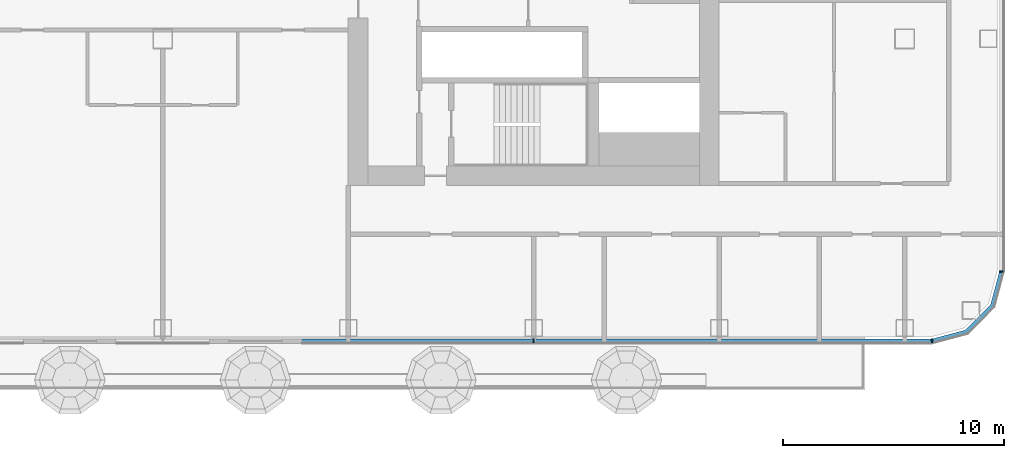
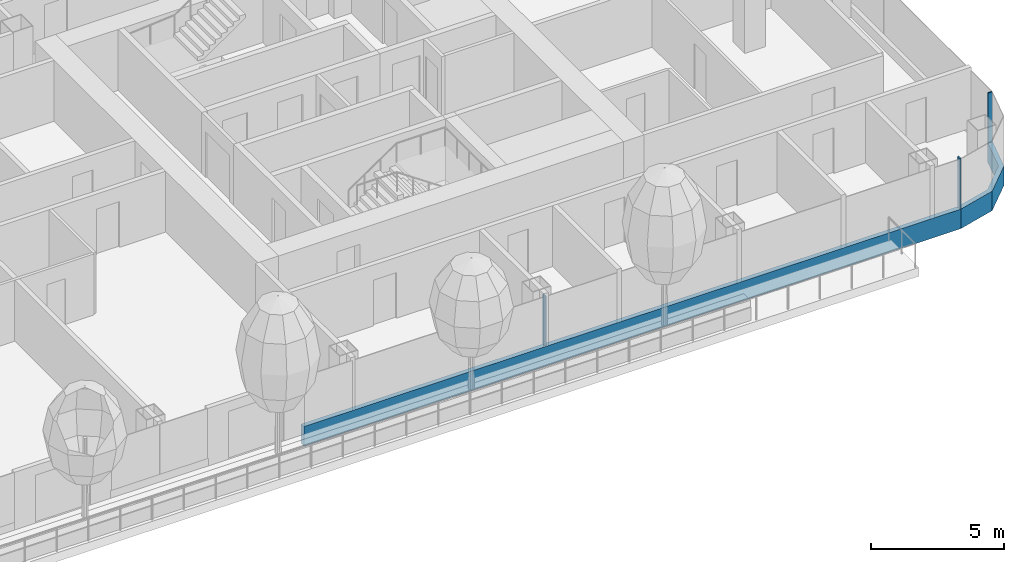
# One storey, part 9 of 34: 5 members, 3 elements without a shape of their own.
"""IFC4 building model written with IfcOpenShell, lengths in metres."""

from ifc_helpers import new_model, si_unit, direction, frame, origin, origin_2d, place, context, subcontext, project, spatial, polyline, rectangle, outline, extrude, material, layer, layer_set, material_profile, profile_set, type_object, element, aggregate, save


model = new_model("IFC4")

# Units and contexts
model_context = context("Model", 3, precision=1e-05, world=origin(), true_north=direction((0.0, 1.0)))
body_context = subcontext(model_context, "Body", "Model", "MODEL_VIEW")
ifc_project = project(units=[si_unit("LENGTHUNIT", "METRE"), si_unit("AREAUNIT", "SQUARE_METRE"), si_unit("VOLUMEUNIT", "CUBIC_METRE"), si_unit("PLANEANGLEUNIT", "RADIAN"), si_unit("MASSUNIT", "GRAM", prefix="KILO")], contexts=[model_context])

# Site, building, storey
site_placement = place(None, origin())
site = spatial("IfcSite", under=ifc_project, at=site_placement, CompositionType="ELEMENT")
building_placement = place(site_placement, origin())
building = spatial("IfcBuilding", under=site, at=building_placement, Name="Hakoniwa Tower and Hamabe Station Hall", CompositionType="ELEMENT")
storey_placement = place(building_placement, frame((0.0, 0.0, 107.39990234375)))
storey = spatial("IfcBuildingStorey", under=building, at=storey_placement, Name="L30", CompositionType="ELEMENT", Elevation=107.39990234375)

# Curtain wall, member
ifc_material_1 = material(Name="Dark low-e laminated glass", Category="glass")
ifc_layer = layer(ifc_material_1, 0.199951171875)
ifc_layer_set = layer_set([ifc_layer], Name="CW-1 UNITISED GUEST")
curtain_wall_type = type_object("IfcCurtainWallType", Name="CW-1 UNITISED GUEST", PredefinedType="NOTDEFINED", material=ifc_layer_set)
curtain_wall_1_placement = place(storey_placement, origin())
curtain_wall_1 = element("IfcCurtainWall", 1, at=curtain_wall_1_placement, inside=storey, type_object=curtain_wall_type, Name="CW-1 curtain wall", PredefinedType="NOTDEFINED")
ifc_material_2 = material(Name="Aluminium 6063-T5 black anodised", Category="aluminium")
ifc_material_profile_1 = material_profile(ifc_material_2, rectangle(XDim=0.199951171875, YDim=0.89990234375, at=origin_2d()), Name="CW SLAB-EDGE BAND 900X200")
ifc_profile_set_1 = profile_set([ifc_material_profile_1], Name="Aluminium 6063-T5 black anodised")
member_type_1 = type_object("IfcMemberType", Name="CW SLAB-EDGE BAND 900X200", PredefinedType="USERDEFINED", material=ifc_profile_set_1)
member_1_placement = place(storey_placement, frame((14.669921875, -15.449951171875, -0.099853515625), z_axis=(1.0, 0.0, 0.0), x_axis=(0.0, 1.0, 0.0)))
member_1 = element("IfcMember", 2, at=member_1_placement, type_object=member_type_1, Name="CW-1 transom", ObjectType="TRANSOM", PredefinedType="USERDEFINED", context=body_context, shape_type="SweptSolid", body=[
    extrude(rectangle(XDim=0.199951171875, YDim=0.89990234375, at=origin_2d()), origin(), (0.0, 0.0, 1.0), 28.569580078125),
])

curtain_wall_2_placement = place(storey_placement, origin())
curtain_wall_2 = element("IfcCurtainWall", 3, at=curtain_wall_2_placement, inside=storey, type_object=curtain_wall_type, Name="CW-1 curtain wall", PredefinedType="NOTDEFINED")
member_2_placement = place(storey_placement, frame((0.0, 0.0, -0.5498046875)))
member_2 = element("IfcMember", 4, at=member_2_placement, type_object=member_type_1, Name="CW-1 transom", ObjectType="TRANSOM", PredefinedType="USERDEFINED", context=body_context, shape_type="SweptSolid", body=[
    extrude(outline(polyline([(43.239501953125, -15.550048828125), (44.855224609375, -15.116943359375), (46.067138671875, -13.9052734375), (46.5, -12.28955078125), (46.306884765625, -12.23779296875), (45.8876953125, -13.8017578125), (44.751708984375, -14.937744140625), (43.187744140625, -15.35693359375), (43.239501953125, -15.550048828125)])), origin(), (0.0, 0.0, 1.0), 0.89990234375),
])
aggregate(curtain_wall_2, [member_2])

curtain_wall_3_placement = place(storey_placement, origin())
curtain_wall_3 = element("IfcCurtainWall", 5, at=curtain_wall_3_placement, inside=storey, type_object=curtain_wall_type, Name="CW-1 curtain wall", PredefinedType="NOTDEFINED")
ifc_material_3 = material(Name="Aluminium 6063-T5 black anodised", Category="aluminium")
ifc_material_profile_2 = material_profile(ifc_material_3, rectangle(XDim=0.06005859375, YDim=0.179931640625, at=origin_2d()), Name="CW-1 MULLION 60X180")
ifc_profile_set_2 = profile_set([ifc_material_profile_2], Name="Aluminium 6063-T5 black anodised")
member_type_2 = type_object("IfcMemberType", Name="CW-1 MULLION 60X180", PredefinedType="MULLION", material=ifc_profile_set_2)
member_3_placement = place(storey_placement, frame((46.382080078125, -12.28955078125, 0.35009765625), z_axis=(0.0, 0.0, 1.0), x_axis=(0.0, 1.0, 0.0)))
member_3 = element("IfcMember", 6, at=member_3_placement, type_object=member_type_2, Name="CW-1 mullion", PredefinedType="MULLION", context=body_context, shape_type="SweptSolid", body=[
    extrude(rectangle(XDim=0.06005859375, YDim=0.179931640625, at=origin_2d()), origin(), (0.0, 0.0, 1.0), 2.300048828125),
])
aggregate(curtain_wall_3, [member_3])

# Member
member_4_placement = place(storey_placement, frame((25.199951171875, -15.431884765625, 0.35009765625), z_axis=(0.0, 0.0, 1.0), x_axis=(1.0, 0.0, 0.0)))
member_4 = element("IfcMember", 7, at=member_4_placement, type_object=member_type_2, Name="CW-1 mullion", PredefinedType="MULLION", context=body_context, shape_type="SweptSolid", body=[
    extrude(rectangle(XDim=0.06005859375, YDim=0.179931640625, at=origin_2d()), origin(), (0.0, 0.0, 1.0), 2.300048828125),
])

member_5_placement = place(storey_placement, frame((43.239501953125, -15.431884765625, 0.35009765625), z_axis=(0.0, 0.0, 1.0), x_axis=(1.0, 0.0, 0.0)))
member_5 = element("IfcMember", 8, at=member_5_placement, type_object=member_type_2, Name="CW-1 mullion", PredefinedType="MULLION", context=body_context, shape_type="SweptSolid", body=[
    extrude(rectangle(XDim=0.06005859375, YDim=0.179931640625, at=origin_2d()), origin(), (0.0, 0.0, 1.0), 2.300048828125),
])

aggregate(curtain_wall_1, [member_4, member_5, member_1])

save(model, "model.ifc")
